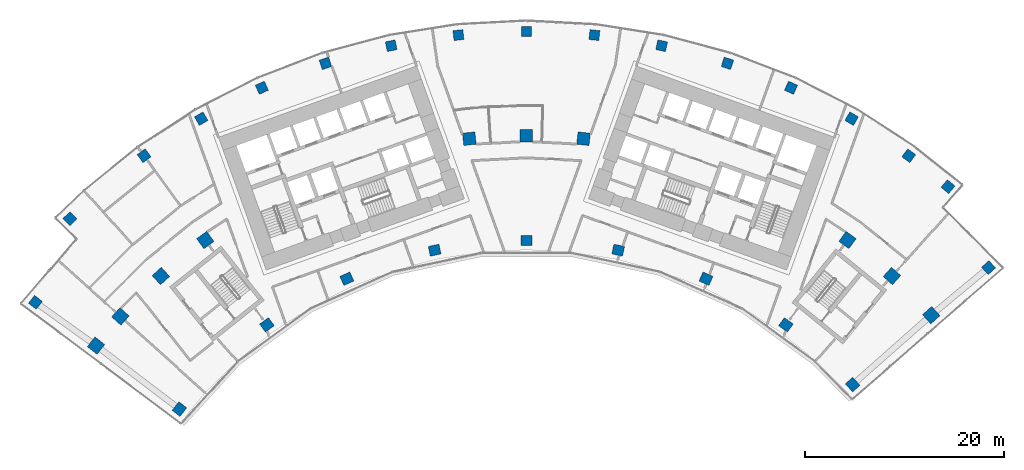
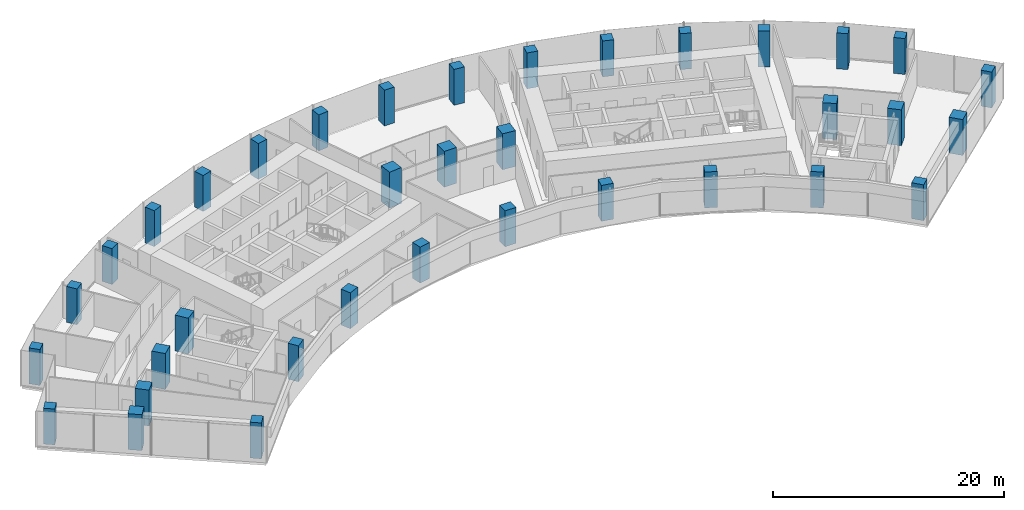
# One storey, part 1 of 20: 36 columns.
"""IFC4 building model written with IfcOpenShell, lengths in metres."""

import ifcopenshell
import ifcopenshell.guid

model = None  # the IFC model being written
_history = None  # IfcOwnerHistory: only IFC2X3 demands one
_inside = {}  # id of a spatial element -> (the spatial element, [elements in it])
_under = {}  # id of a project, library or spatial element -> (it, [spatial elements below it])
_declared = {}  # id of a project -> (the project, [libraries it declares])
_typed = {}  # id of a type object -> (the type object, [elements of that type])
_made_of = {}  # id of a material, layer set ... -> (it, [elements and type objects made of it])


def new_model(schema):
    """Start an empty IFC model of exactly this schema.

    Asked for "IFC4X3", IfcOpenShell would pick the latest addendum, in which some entities
    have other attributes; the version numbers below select the first issue.
    IFC2X3 requires an IfcOwnerHistory on every rooted entity: one is made here for all.
    """
    global model, _history
    if schema == "IFC4X3":
        model = ifcopenshell.file(schema_version=(4, 3, 0, 0))
    else:
        model = ifcopenshell.file(schema=schema)
    _inside.clear()
    _under.clear()
    _declared.clear()
    _typed.clear()
    _made_of.clear()
    _history = None
    if model.schema == "IFC2X3":
        org = make("IfcOrganization", Name="unknown")
        user = make(
            "IfcPersonAndOrganization",
            ThePerson=make("IfcPerson", FamilyName="unknown"),
            TheOrganization=org,
        )
        app = make(
            "IfcApplication",
            ApplicationDeveloper=org,
            Version="unknown",
            ApplicationFullName="unknown",
            ApplicationIdentifier="unknown",
        )
        _history = make(
            "IfcOwnerHistory",
            OwningUser=user,
            OwningApplication=app,
            ChangeAction="ADDED",
            CreationDate=0,
        )
    return model


def make(cls, **values):
    """One entity of the class cls with the attributes given. An attribute that is None is left unset."""
    return model.create_entity(
        cls, **{name: value for name, value in values.items() if value is not None}
    )


def rooted(cls, **values):
    """An entity with a GlobalId (a new one), such as an element, a storey or a relation."""
    return make(cls, GlobalId=ifcopenshell.guid.new(), OwnerHistory=_history, **values)


def si_unit(unit_type, name, prefix=None):
    """IfcSIUnit, for example si_unit("LENGTHUNIT", "METRE", prefix="MILLI")."""
    return make("IfcSIUnit", UnitType=unit_type, Prefix=prefix, Name=name)


def assignment(units):
    """IfcUnitAssignment: the units of a project."""
    return None if units is None else make("IfcUnitAssignment", Units=units)


def point(xyz):
    """IfcCartesianPoint."""
    return None if xyz is None else make("IfcCartesianPoint", Coordinates=xyz)


def direction(xyz):
    """IfcDirection."""
    return None if xyz is None else make("IfcDirection", DirectionRatios=xyz)


def frame(location, z_axis=None, x_axis=None):
    """IfcAxis2Placement3D, a coordinate frame: its origin and axes. An axis left out is left unset."""
    return make(
        "IfcAxis2Placement3D",
        Location=point(location),
        Axis=direction(z_axis),
        RefDirection=direction(x_axis),
    )


def frame_2d(location, x_axis=None):
    """IfcAxis2Placement2D, a coordinate frame in the plane: its origin and x axis."""
    return make(
        "IfcAxis2Placement2D", Location=point(location), RefDirection=direction(x_axis)
    )


def origin():
    """The frame at (0, 0, 0) with its axes left unset."""
    return frame((0.0, 0.0, 0.0))


def origin_2d():
    """The frame at (0, 0) in the plane with its x axis left unset."""
    return frame_2d((0.0, 0.0))


def place(relative_to, where):
    """IfcLocalPlacement: puts the frame where relative to a parent placement (None: the world)."""
    return make(
        "IfcLocalPlacement", PlacementRelTo=relative_to, RelativePlacement=where
    )


def context(
    kind, dimensions, precision=None, world=None, true_north=None, identifier=None
):
    """IfcGeometricRepresentationContext, for example the 3D "Model" context."""
    return make(
        "IfcGeometricRepresentationContext",
        ContextIdentifier=identifier,
        ContextType=kind,
        CoordinateSpaceDimension=dimensions,
        Precision=precision,
        WorldCoordinateSystem=world,
        TrueNorth=true_north,
    )


def subcontext(parent, identifier, kind, view, scale=None):
    """IfcGeometricRepresentationSubContext, for example "Body" below "Model"."""
    return make(
        "IfcGeometricRepresentationSubContext",
        ContextIdentifier=identifier,
        ContextType=kind,
        ParentContext=parent,
        TargetScale=scale,
        TargetView=view,
    )


def project(units=None, contexts=None):
    """IfcProject with its units and contexts."""
    return rooted(
        "IfcProject",
        Name="project",
        RepresentationContexts=contexts,
        UnitsInContext=assignment(units),
    )


def spatial(cls, under=None, at=None, **own):
    """A site, building, storey or space (cls), placed at a placement, below another one or the project."""
    s = rooted(cls, ObjectPlacement=at, **own)
    if under is not None:
        _under.setdefault(under.id(), (under, []))[1].append(s)
    return s


def profile(cls, at=None, kind="AREA", **sizes):
    """A parametric profile (cls). Its sizes go by their IFC names, for example OverallWidth=200.0."""
    return make(cls, ProfileType=kind, Position=at, **sizes)


def rectangle(**sizes):
    """IfcRectangleProfileDef."""
    return profile("IfcRectangleProfileDef", **sizes)


def extrude(swept, where, along, depth):
    """IfcExtrudedAreaSolid: the profile swept, set in the frame where, extruded along a direction by depth."""
    return make(
        "IfcExtrudedAreaSolid",
        SweptArea=swept,
        Position=where,
        ExtrudedDirection=direction(along),
        Depth=depth,
    )


def shape(context_of_items, identifier, shape_type, items):
    """IfcShapeRepresentation: the items that make up one representation, for example the "Body"."""
    return make(
        "IfcShapeRepresentation",
        ContextOfItems=context_of_items,
        RepresentationIdentifier=identifier,
        RepresentationType=shape_type,
        Items=items,
    )


def material(Name=None, Category=None):
    """IfcMaterial."""
    return make("IfcMaterial", Name=Name, Category=Category)


def material_profile(
    of_material, cross_section, Name=None, Category=None, Priority=None
):
    """IfcMaterialProfile: a cross section and its material."""
    return make(
        "IfcMaterialProfile",
        Name=Name,
        Material=of_material,
        Profile=cross_section,
        Priority=Priority,
        Category=Category,
    )


def profile_set(profiles, Name=None, composite=None):
    """IfcMaterialProfileSet."""
    return make(
        "IfcMaterialProfileSet",
        Name=Name,
        MaterialProfiles=profiles,
        CompositeProfile=composite,
    )


def made_of(thing, what):
    """Note that an element or type object is made of a material, layer set ...; save() writes the relation."""
    if what is not None:
        _made_of.setdefault(what.id(), (what, []))[1].append(thing)
    return thing


def type_object(cls, material=None, **own):
    """A type object (cls), such as IfcWallType, which elements share."""
    return made_of(rooted(cls, **own), material)


def element(
    cls,
    number,
    at=None,
    inside=None,
    cuts=None,
    type_object=None,
    material=None,
    context=None,
    identifier="Body",
    shape_type=None,
    held_by="IfcProductDefinitionShape",
    body=None,
    shapes=None,
    **own,
):
    """One element of the class cls, such as IfcWall. Its Tag is "e" and its number.

    at: its placement. inside: the storey or other place that contains it. cuts: it is an
    opening in that element (IfcRelVoidsElement). A single representation is given by context,
    identifier, shape_type and body (its items); several are given by shapes. held_by: the class
    of the entity that holds the representations. save() writes the other relations.
    """
    e = rooted(cls, Tag="e%d" % number, ObjectPlacement=at, **own)
    if body is not None:
        shapes = [shape(context, identifier, shape_type, body)]
    if shapes is not None:
        e.Representation = make(held_by, Representations=shapes)
    if inside is not None:
        _inside.setdefault(inside.id(), (inside, []))[1].append(e)
    if cuts is not None:
        rooted(
            "IfcRelVoidsElement", RelatingBuildingElement=cuts, RelatedOpeningElement=e
        )
    if type_object is not None:
        _typed.setdefault(type_object.id(), (type_object, []))[1].append(e)
    return made_of(e, material)


def aggregate(whole, parts):
    """IfcRelAggregates: a whole, such as a stair, and the parts it consists of."""
    return rooted("IfcRelAggregates", RelatingObject=whole, RelatedObjects=parts)


def save(model, path):
    """Write the relations noted so far, then the file.

    IfcRelAggregates (storeys below a building ...), IfcRelContainedInSpatialStructure (elements
    in a storey), IfcRelDefinesByType, IfcRelAssociatesMaterial and IfcRelDeclares: one each for
    every whole, place, type object, material and project.
    """
    for whole, parts in _under.values():
        aggregate(whole, parts)
    for where, things in _inside.values():
        rooted(
            "IfcRelContainedInSpatialStructure",
            RelatedElements=things,
            RelatingStructure=where,
        )
    for kind, things in _typed.values():
        rooted("IfcRelDefinesByType", RelatedObjects=things, RelatingType=kind)
    for what, things in _made_of.values():
        rooted("IfcRelAssociatesMaterial", RelatedObjects=things, RelatingMaterial=what)
    for by, libraries in _declared.values():
        rooted("IfcRelDeclares", RelatingContext=by, RelatedDefinitions=libraries)
    model.write(path)


model = new_model("IFC4")

# Units and contexts
model_context = context("Model", 3, precision=1e-05, world=origin(), true_north=direction((0.0, 1.0)))
body_context = subcontext(model_context, "Body", "Model", "MODEL_VIEW")
ifc_project = project(units=[si_unit("LENGTHUNIT", "METRE"), si_unit("AREAUNIT", "SQUARE_METRE"), si_unit("VOLUMEUNIT", "CUBIC_METRE"), si_unit("PLANEANGLEUNIT", "RADIAN"), si_unit("MASSUNIT", "GRAM", prefix="KILO")], contexts=[model_context])

# Site, building, storey
site_placement = place(None, origin())
site = spatial("IfcSite", under=ifc_project, at=site_placement, CompositionType="ELEMENT")
building_placement = place(site_placement, origin())
building = spatial("IfcBuilding", under=site, at=building_placement, Name="Stone Belt Terrace Tower", CompositionType="ELEMENT")
storey_placement = place(building_placement, frame((0.0, 0.0, 174.39990234375)))
storey = spatial("IfcBuildingStorey", under=building, at=storey_placement, Name="L42", CompositionType="ELEMENT", Elevation=174.39990234375)

# Columns
ifc_material = material(Name="Concrete B80", Category="concrete")
ifc_material_profile_1 = material_profile(ifc_material, rectangle(XDim=1.0, YDim=1.0, at=origin_2d()), Name="RC 1000x1000")
ifc_profile_set_1 = profile_set([ifc_material_profile_1], Name="Concrete B80")
column_type_1 = type_object("IfcColumnType", Name="Column RC 1000x1000 B80", PredefinedType="COLUMN", material=ifc_profile_set_1)
for number, where, z_axis, x_axis, name in (
    (1, (-49.432861328125, 38.226318359375, 0.0), (0.0, 0.0, 1.0), (0.611730019057, 0.791066611472, 0.0), "Column L42 RA"),
    (2, (46.5244140625, 41.71728515625, 0.0), (0.0, 0.0, 1.0), (0.667594791836, -0.744524810811, 0.0), "Column L42 RB"),
    (3, (-45.95849609375, 46.654296875, 0.0), (0.0, 0.0, 1.0), (0.712398494182, 0.701775167334, 0.0), "Column L42 RNA"),
    (4, (-38.493408203125, 52.981689453125, 0.0), (0.0, 0.0, 1.0), (0.809016994375, 0.587785252292, 0.0), "Column L42 R16"),
    (5, (-32.744384765625, 56.715087890625, 0.0), (0.0, 0.0, 1.0), (0.866025403784, 0.5, 0.0), "Column L42 R17"),
    (6, (-26.63671875, 59.8271484375, 0.0), (0.0, 0.0, 1.0), (0.913545457643, 0.406736643076, 0.0), "Column L42 R18"),
    (7, (-20.2373046875, 62.28369140625, 0.0), (0.0, 0.0, 1.0), (0.951056516295, 0.309016994375, 0.0), "Column L42 R19"),
    (8, (-13.615966796875, 64.057861328125, 0.0), (0.0, 0.0, 1.0), (0.978147600734, 0.207911690818, 0.0), "Column L42 R20"),
    (9, (-6.845458984375, 65.130126953125, 0.0), (0.0, 0.0, 1.0), (0.994521895368, 0.104528463268, 0.0), "Column L42 R21"),
    (10, (0.0, 65.489013671875, 0.0), (0.0, 0.0, 1.0), (1.0, 0.0, 0.0), "Column L42 R22"),
    (11, (6.845458984375, 65.130126953125, 0.0), (0.0, 0.0, 1.0), (0.994521895368, -0.104528463268, 0.0), "Column L42 R23"),
    (12, (13.615966796875, 64.057861328125, 0.0), (0.0, 0.0, 1.0), (0.978147600734, -0.207911690818, 0.0), "Column L42 R24"),
    (13, (20.2373046875, 62.28369140625, 0.0), (0.0, 0.0, 1.0), (0.951056516295, -0.309016994375, 0.0), "Column L42 R25"),
    (14, (26.63671875, 59.8271484375, 0.0), (0.0, 0.0, 1.0), (0.913545457643, -0.406736643076, 0.0), "Column L42 R26"),
    (15, (32.744384765625, 56.715087890625, 0.0), (0.0, 0.0, 1.0), (0.866025403784, -0.5, 0.0), "Column L42 R27"),
    (16, (38.493408203125, 52.981689453125, 0.0), (0.0, 0.0, 1.0), (0.809016994375, -0.587785252292, 0.0), "Column L42 R28"),
    (17, (42.447021484375, 49.870361328125, 0.0), (0.0, 0.0, 1.0), (0.761508896004, -0.648154457908, 0.0), "Column L42 RNB"),
):
    element("IfcColumn", number, at=place(storey_placement, frame(where, z_axis=z_axis, x_axis=x_axis)), inside=storey, type_object=column_type_1, Name=name, PredefinedType="COLUMN", context=body_context, shape_type="SweptSolid", body=[
        extrude(rectangle(XDim=1.0, YDim=1.0, at=origin_2d()), origin(), (0.0, 0.0, 1.0), 3.800048828125),
    ])
ifc_material_profile_2 = material_profile(ifc_material, rectangle(XDim=1.10009765625, YDim=1.0, at=origin_2d()), Name="RC 1100x1000")
ifc_profile_set_2 = profile_set([ifc_material_profile_2], Name="Concrete B80")
column_type_2 = type_object("IfcColumnType", Name="Column RC 1100x1000 B80", PredefinedType="COLUMN", material=ifc_profile_set_2)
for number, where, z_axis, x_axis, name in (
    (18, (-34.93408203125, 27.476806640625, 0.0), (0.0, 0.0, 1.0), (0.618217727677, 0.786006896399, 0.0), "Column L42 PA"),
    (19, (-26.1240234375, 35.956787109375, 0.0), (0.0, 0.0, 1.0), (0.809016994375, 0.587785252292, 0.0), "Column L42 P16"),
    (20, (-18.077392578125, 40.6025390625, 0.0), (0.0, 0.0, 1.0), (0.913545457643, 0.406736643076, 0.0), "Column L42 P18"),
    (21, (-9.240478515625, 43.473876953125, 0.0), (0.0, 0.0, 1.0), (0.978147600734, 0.207911690818, 0.0), "Column L42 P20"),
    (22, (0.0, 44.445068359375, 0.0), (0.0, 0.0, 1.0), (1.0, 0.0, 0.0), "Column L42 P22"),
    (23, (9.240478515625, 43.473876953125, 0.0), (0.0, 0.0, 1.0), (0.978147600734, -0.207911690818, 0.0), "Column L42 P24"),
    (24, (18.077392578125, 40.6025390625, 0.0), (0.0, 0.0, 1.0), (0.913545457643, -0.406736643076, 0.0), "Column L42 P26"),
    (25, (26.1240234375, 35.956787109375, 0.0), (0.0, 0.0, 1.0), (0.809016994375, -0.587785252292, 0.0), "Column L42 P28"),
    (26, (32.84521484375, 29.9423828125, 0.0), (0.0, 0.0, 1.0), (0.673697692172, -0.739007049738, 0.0), "Column L42 PB"),
):
    element("IfcColumn", number, at=place(storey_placement, frame(where, z_axis=z_axis, x_axis=x_axis)), inside=storey, type_object=column_type_2, Name=name, PredefinedType="COLUMN", context=body_context, shape_type="SweptSolid", body=[
        extrude(rectangle(XDim=1.10009765625, YDim=1.0, at=origin_2d()), origin(), (0.0, 0.0, 1.0), 3.800048828125),
    ])
ifc_material_profile_3 = material_profile(ifc_material, rectangle(XDim=1.25, YDim=1.25, at=origin_2d()), Name="RC 1250x1250")
ifc_profile_set_3 = profile_set([ifc_material_profile_3], Name="Concrete B80")
column_type_3 = type_object("IfcColumnType", Name="Column RC 1250x1250 B80", PredefinedType="COLUMN", material=ifc_profile_set_3)
for number, where, z_axis, x_axis, name in (
    (27, (-43.33349609375, 33.870361328125, 0.0), (0.0, 0.0, 1.0), (0.615825127294, 0.787882867306, 0.0), "Column L42 QA"),
    (28, (-40.873046875, 36.80224609375, 0.0), (0.0, 0.0, 1.0), (0.669130606359, 0.743144825477, 0.0), "Column L42 Q14"),
    (29, (-36.80224609375, 40.873046875, 0.0), (0.0, 0.0, 1.0), (0.743144825477, 0.669130606359, 0.0), "Column L42 Q15"),
    (30, (-32.328125, 44.495849609375, 0.0), (0.0, 0.0, 1.0), (0.809016994375, 0.587785252292, 0.0), "Column L42 Q16"),
    (31, (-5.7490234375, 54.69873046875, 0.0), (0.0, 0.0, 1.0), (0.994521895368, 0.104528463268, 0.0), "Column L42 Q21"),
    (32, (0.0, 55.0, 0.0), (0.0, 0.0, 1.0), (1.0, 0.0, 0.0), "Column L42 Q22"),
    (33, (5.7490234375, 54.69873046875, 0.0), (0.0, 0.0, 1.0), (0.994521895368, -0.104528463268, 0.0), "Column L42 Q23"),
    (34, (32.328125, 44.495849609375, 0.0), (0.0, 0.0, 1.0), (0.809016994375, -0.587785252292, 0.0), "Column L42 Q28"),
    (35, (36.80224609375, 40.873046875, 0.0), (0.0, 0.0, 1.0), (0.743144825477, -0.669130606359, 0.0), "Column L42 Q29"),
    (36, (40.7578125, 36.9296875, 0.0), (0.0, 0.0, 1.0), (0.671447731767, -0.741051916876, 0.0), "Column L42 QB"),
):
    element("IfcColumn", number, at=place(storey_placement, frame(where, z_axis=z_axis, x_axis=x_axis)), inside=storey, type_object=column_type_3, Name=name, PredefinedType="COLUMN", context=body_context, shape_type="SweptSolid", body=[
        extrude(rectangle(XDim=1.25, YDim=1.25, at=origin_2d()), origin(), (0.0, 0.0, 1.0), 3.800048828125),
    ])

save(model, "model.ifc")
